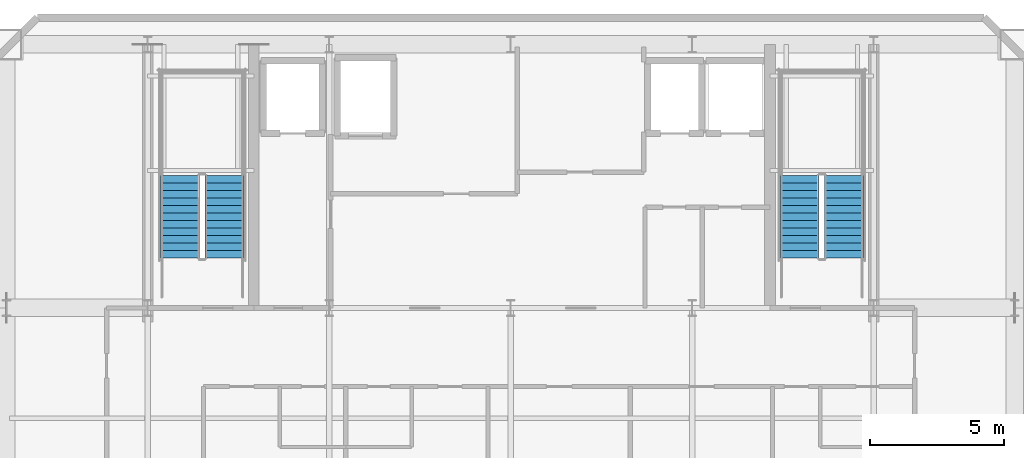
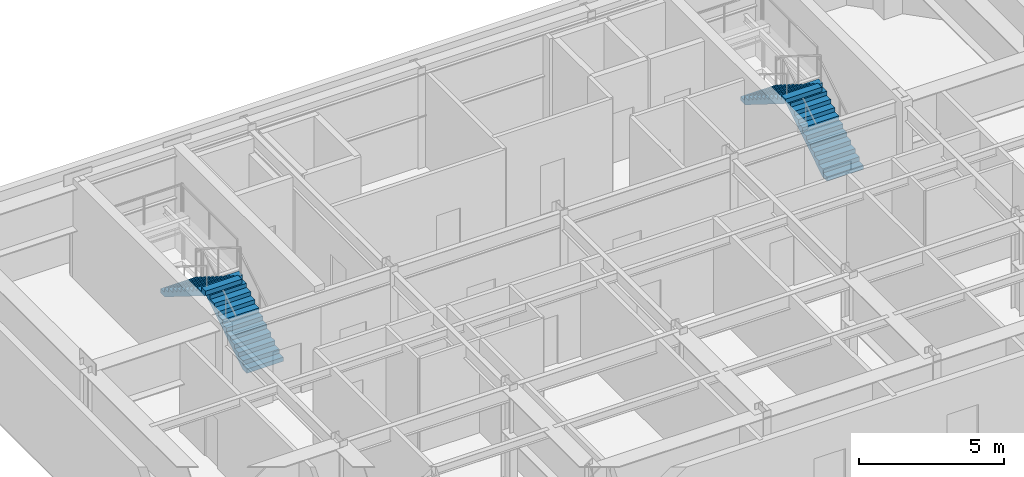
# One storey, part 13 of 16: 4 stair flights, 2 elements without a shape of their own.
"""IFC4 building model written with IfcOpenShell, lengths in metres."""

from ifc_helpers import new_model, si_unit, direction, frame, origin, place, context, subcontext, project, spatial, polyline, outline, extrude, material, type_object, element, aggregate, save


model = new_model("IFC4")

# Units and contexts
model_context = context("Model", 3, precision=1e-05, world=origin(), true_north=direction((0.0, 1.0)))
body_context = subcontext(model_context, "Body", "Model", "MODEL_VIEW")
ifc_project = project(units=[si_unit("LENGTHUNIT", "METRE"), si_unit("AREAUNIT", "SQUARE_METRE"), si_unit("VOLUMEUNIT", "CUBIC_METRE"), si_unit("PLANEANGLEUNIT", "RADIAN"), si_unit("MASSUNIT", "GRAM", prefix="KILO")], contexts=[model_context])

# Site, building, storey
site_placement = place(None, origin())
site = spatial("IfcSite", under=ifc_project, at=site_placement, CompositionType="ELEMENT")
building_placement = place(site_placement, origin())
building = spatial("IfcBuilding", under=site, at=building_placement, Name="Haevon Station Towers", CompositionType="ELEMENT")
storey_placement = place(building_placement, frame((0.0, 0.0, 235.199951171875)))
storey = spatial("IfcBuildingStorey", under=building, at=storey_placement, Name="L65", CompositionType="ELEMENT", Elevation=235.199951171875)

# Stair, stair flights
ifc_material = material(Name="Concrete C40/50", Category="concrete")
stair_type = type_object("IfcStairType", Name="STR-DL1450", PredefinedType="USERDEFINED", material=ifc_material)
stair_1_placement = place(storey_placement, origin())
stair_1 = element("IfcStair", 1, at=stair_1_placement, inside=storey, type_object=stair_type, Name="L65 Escape Stair ST1", ObjectType="TWO_RETURN_STAIR", PredefinedType="USERDEFINED")
stair_flight_type = type_object("IfcStairFlightType", Name="STF-ST1450", PredefinedType="STRAIGHT", material=ifc_material)
stair_flight_1_placement = place(storey_placement, frame((26.85498046875, 40.050048828125, 0.0), z_axis=(0.0, 0.0, 1.0), x_axis=(0.0, 1.0, 0.0)))
stair_flight_1 = element("IfcStairFlight", 2, at=stair_flight_1_placement, type_object=stair_flight_type, Name="L65 ST1 Flight 1", NumberOfRisers=12, NumberOfTreads=11, PredefinedType="STRAIGHT", RiserHeight=0.175, TreadLength=0.28, context=body_context, shape_type="SweptSolid", body=[
    extrude(outline(polyline([(0.0, 0.0), (0.0, 0.175048828125), (0.280029296875, 0.175048828125), (0.280029296875, 0.35009765625), (0.56005859375, 0.35009765625), (0.56005859375, 0.52490234375), (0.840087890625, 0.52490234375), (0.840087890625, 0.699951171875), (1.1201171875, 0.699951171875), (1.1201171875, 0.875), (1.39990234375, 0.875), (1.39990234375, 1.050048828125), (1.679931640625, 1.050048828125), (1.679931640625, 1.22509765625), (1.9599609375, 1.22509765625), (1.9599609375, 1.39990234375), (2.239990234375, 1.39990234375), (2.239990234375, 1.574951171875), (2.52001953125, 1.574951171875), (2.52001953125, 1.75), (2.800048828125, 1.75), (2.800048828125, 1.925048828125), (3.080078125, 1.925048828125), (3.080078125, 2.10009765625), (3.080078125, 1.736328125), (0.3017578125, 0.0), (0.0, 0.0)])), frame((0.0, 0.72509765625, 0.0), z_axis=(0.0, -1.0, 0.0), x_axis=(1.0, 0.0, 0.0)), (0.0, 0.0, 1.0), 1.449951171875),
])
stair_flight_2_placement = place(storey_placement, frame((25.205078125, 43.1298828125, 2.10009765625), z_axis=(0.0, 0.0, 1.0), x_axis=(0.0, -1.0, 0.0)))
stair_flight_2 = element("IfcStairFlight", 3, at=stair_flight_2_placement, type_object=stair_flight_type, Name="L65 ST1 Flight 2", NumberOfRisers=12, NumberOfTreads=11, PredefinedType="STRAIGHT", RiserHeight=0.175, TreadLength=0.28, context=body_context, shape_type="SweptSolid", body=[
    extrude(outline(polyline([(0.0, 0.0), (0.0, 0.175048828125), (0.280029296875, 0.175048828125), (0.280029296875, 0.35009765625), (0.56005859375, 0.35009765625), (0.56005859375, 0.52490234375), (0.840087890625, 0.52490234375), (0.840087890625, 0.699951171875), (1.1201171875, 0.699951171875), (1.1201171875, 0.875), (1.39990234375, 0.875), (1.39990234375, 1.050048828125), (1.679931640625, 1.050048828125), (1.679931640625, 1.22509765625), (1.9599609375, 1.22509765625), (1.9599609375, 1.39990234375), (2.239990234375, 1.39990234375), (2.239990234375, 1.574951171875), (2.52001953125, 1.574951171875), (2.52001953125, 1.75), (2.800048828125, 1.75), (2.800048828125, 1.925048828125), (3.080078125, 1.925048828125), (3.080078125, 2.10009765625), (3.080078125, 1.736328125), (0.3017578125, 0.0), (0.0, 0.0)])), frame((0.0, 0.72509765625, 0.0), z_axis=(0.0, -1.0, 0.0), x_axis=(1.0, 0.0, 0.0)), (0.0, 0.0, 1.0), 1.449951171875),
])
aggregate(stair_1, [stair_flight_1, stair_flight_2])

stair_2_placement = place(storey_placement, origin())
stair_2 = element("IfcStair", 4, at=stair_2_placement, inside=storey, type_object=stair_type, Name="L65 Escape Stair ST2", ObjectType="TWO_RETURN_STAIR", PredefinedType="USERDEFINED")
stair_flight_3_placement = place(storey_placement, frame((49.89501953125, 40.050048828125, 0.0), z_axis=(0.0, 0.0, 1.0), x_axis=(0.0, 1.0, 0.0)))
stair_flight_3 = element("IfcStairFlight", 5, at=stair_flight_3_placement, type_object=stair_flight_type, Name="L65 ST2 Flight 1", NumberOfRisers=12, NumberOfTreads=11, PredefinedType="STRAIGHT", RiserHeight=0.175, TreadLength=0.28, context=body_context, shape_type="SweptSolid", body=[
    extrude(outline(polyline([(0.0, 0.0), (0.0, 0.175048828125), (0.280029296875, 0.175048828125), (0.280029296875, 0.35009765625), (0.56005859375, 0.35009765625), (0.56005859375, 0.52490234375), (0.840087890625, 0.52490234375), (0.840087890625, 0.699951171875), (1.1201171875, 0.699951171875), (1.1201171875, 0.875), (1.39990234375, 0.875), (1.39990234375, 1.050048828125), (1.679931640625, 1.050048828125), (1.679931640625, 1.22509765625), (1.9599609375, 1.22509765625), (1.9599609375, 1.39990234375), (2.239990234375, 1.39990234375), (2.239990234375, 1.574951171875), (2.52001953125, 1.574951171875), (2.52001953125, 1.75), (2.800048828125, 1.75), (2.800048828125, 1.925048828125), (3.080078125, 1.925048828125), (3.080078125, 2.10009765625), (3.080078125, 1.736328125), (0.3017578125, 0.0), (0.0, 0.0)])), frame((0.0, 0.72509765625, 0.0), z_axis=(0.0, -1.0, 0.0), x_axis=(1.0, 0.0, 0.0)), (0.0, 0.0, 1.0), 1.449951171875),
])
stair_flight_4_placement = place(storey_placement, frame((48.2451171875, 43.1298828125, 2.10009765625), z_axis=(0.0, 0.0, 1.0), x_axis=(0.0, -1.0, 0.0)))
stair_flight_4 = element("IfcStairFlight", 6, at=stair_flight_4_placement, type_object=stair_flight_type, Name="L65 ST2 Flight 2", NumberOfRisers=12, NumberOfTreads=11, PredefinedType="STRAIGHT", RiserHeight=0.175, TreadLength=0.28, context=body_context, shape_type="SweptSolid", body=[
    extrude(outline(polyline([(0.0, 0.0), (0.0, 0.175048828125), (0.280029296875, 0.175048828125), (0.280029296875, 0.35009765625), (0.56005859375, 0.35009765625), (0.56005859375, 0.52490234375), (0.840087890625, 0.52490234375), (0.840087890625, 0.699951171875), (1.1201171875, 0.699951171875), (1.1201171875, 0.875), (1.39990234375, 0.875), (1.39990234375, 1.050048828125), (1.679931640625, 1.050048828125), (1.679931640625, 1.22509765625), (1.9599609375, 1.22509765625), (1.9599609375, 1.39990234375), (2.239990234375, 1.39990234375), (2.239990234375, 1.574951171875), (2.52001953125, 1.574951171875), (2.52001953125, 1.75), (2.800048828125, 1.75), (2.800048828125, 1.925048828125), (3.080078125, 1.925048828125), (3.080078125, 2.10009765625), (3.080078125, 1.736328125), (0.3017578125, 0.0), (0.0, 0.0)])), frame((0.0, 0.72509765625, 0.0), z_axis=(0.0, -1.0, 0.0), x_axis=(1.0, 0.0, 0.0)), (0.0, 0.0, 1.0), 1.449951171875),
])
aggregate(stair_2, [stair_flight_3, stair_flight_4])

save(model, "model.ifc")
